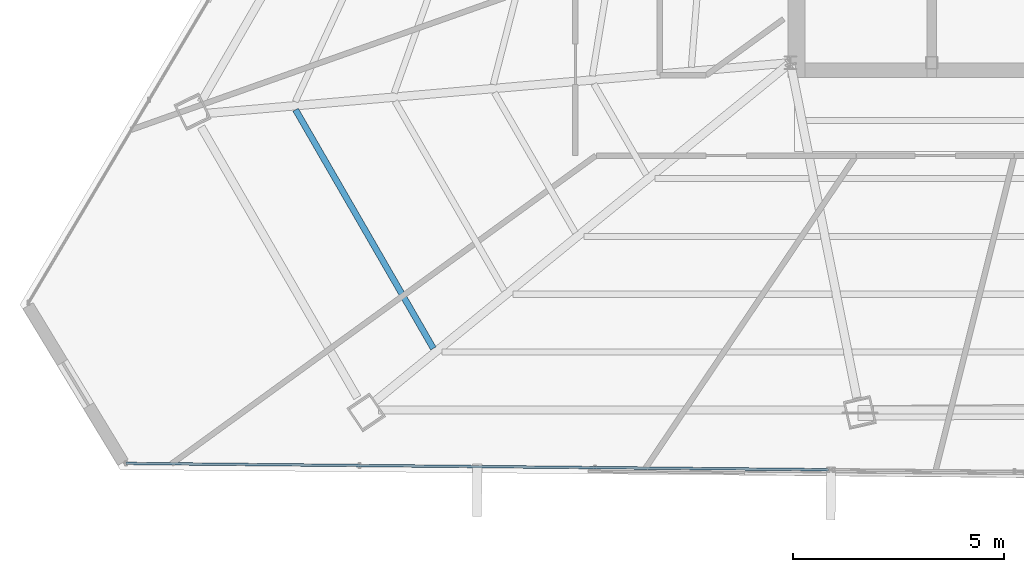
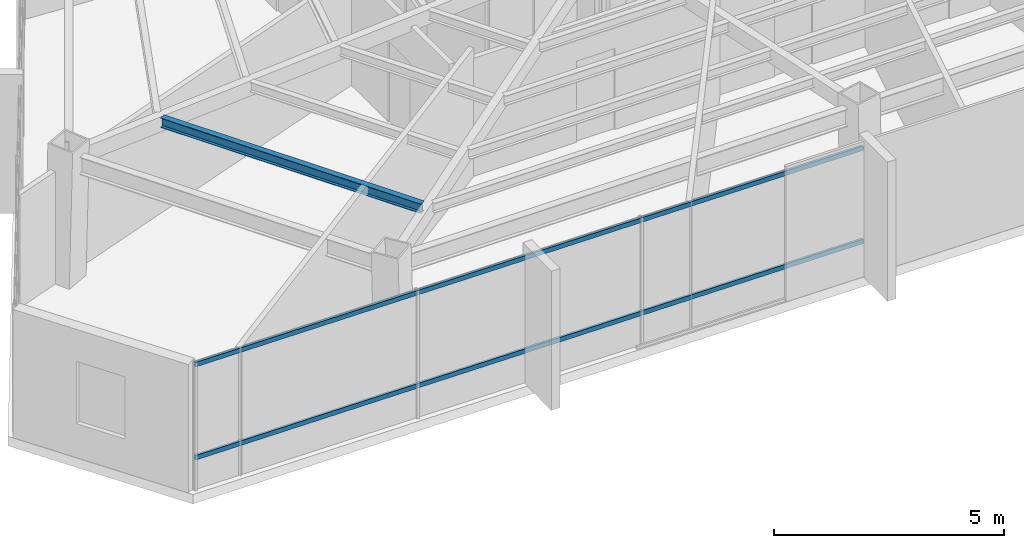
# One storey, part 4 of 42: 2 members, 1 beam, 1 element without a shape of its own.
"""IFC4 building model written with IfcOpenShell, lengths in metres."""

from ifc_helpers import new_model, si_unit, direction, frame, origin, origin_2d, place, context, subcontext, project, spatial, hollow_rectangle, i_section, extrude, source, transform, mapped, material, material_profile, profile_set, type_object, type_shapes, element, aggregate, save


model = new_model("IFC4")

# Units and contexts
model_context = context("Model", 3, precision=1e-05, world=origin(), true_north=direction((0.0, 1.0)))
body_context = subcontext(model_context, "Body", "Model", "MODEL_VIEW")
ifc_project = project(units=[si_unit("LENGTHUNIT", "METRE"), si_unit("AREAUNIT", "SQUARE_METRE"), si_unit("VOLUMEUNIT", "CUBIC_METRE"), si_unit("PLANEANGLEUNIT", "RADIAN"), si_unit("MASSUNIT", "GRAM", prefix="KILO")], contexts=[model_context])

# Site, building, storey
site_placement = place(None, origin())
site = spatial("IfcSite", under=ifc_project, at=site_placement, CompositionType="ELEMENT")
building_placement = place(site_placement, origin())
building = spatial("IfcBuilding", under=site, at=building_placement, Name="Caelisora Broadcast Tower", CompositionType="ELEMENT")
storey_placement = place(building_placement, frame((0.0, 0.0, 244.449951171875)))
storey = spatial("IfcBuildingStorey", under=building, at=storey_placement, Name="L64", CompositionType="ELEMENT", Elevation=244.449951171875)

# Beam
ifc_material_1 = material(Name="Steel Grade 350 (AS/NZS 3679.1)", Category="steel")
ifc_material_profile_1 = material_profile(ifc_material_1, i_section(OverallWidth=0.14599609375, OverallDepth=0.256103515625, WebThickness=0.00634765625, FlangeThickness=0.010986328125, at=origin_2d()), Name="Steel Grade 350 (AS/NZS 3679.1)")
ifc_profile_set_1 = profile_set([ifc_material_profile_1], Name="Steel Grade 350 (AS/NZS 3679.1)")
beam_type = type_object("IfcBeamType", Name="SB04", PredefinedType="JOIST", material=ifc_profile_set_1)
shared_shape_1 = source(origin(), body_context, "Body", "SweptSolid", [
    extrude(i_section(OverallWidth=0.14599609375, OverallDepth=0.256103515625, WebThickness=0.00634765625, FlangeThickness=0.010986328125, at=origin_2d()), origin(), (0.0, 0.0, 1.0), 6.53466796875),
])
type_shapes(beam_type, [shared_shape_1])
beam_placement = place(storey_placement, frame((18.76513671875, 16.283935546875, 3.27197265625), z_axis=(0.500000581714, -0.866025067932, 0.0), x_axis=(0.866025067932, 0.500000581714, 0.0)))
element("IfcBeam", 1, at=beam_placement, inside=storey, type_object=beam_type, Name="L64 beam SB04", PredefinedType="JOIST", context=body_context, shape_type="MappedRepresentation", body=[
    mapped(shared_shape_1, transform((0.0, 0.0, 0.0), scale=1.0)),
])

# Curtain wall, members
ifc_material_2 = material(Name="Unitised Aluminium and Low-E Glass Curtain Wall", Category="glass")
curtain_wall_type = type_object("IfcCurtainWallType", Name="CW-Z5", PredefinedType="NOTDEFINED", material=ifc_material_2)
curtain_wall_placement = place(storey_placement, origin())
curtain_wall = element("IfcCurtainWall", 2, at=curtain_wall_placement, inside=storey, type_object=curtain_wall_type, Name="L64 curtain wall CW-Z5", PredefinedType="NOTDEFINED")
ifc_material_3 = material(Name="Aluminium 6063-T6 Anodised Terracotta Bronze", Category="aluminium")
ifc_material_profile_2 = material_profile(ifc_material_3, hollow_rectangle(XDim=0.06005859375, YDim=0.1201171875, WallThickness=0.0029296875, at=origin_2d()), Name="Aluminium 6063-T6 Anodised Terracotta Bronze")
ifc_profile_set_2 = profile_set([ifc_material_profile_2], Name="Aluminium 6063-T6 Anodised Terracotta Bronze")
member_type = type_object("IfcMemberType", Name="CWT-03", PredefinedType="USERDEFINED", material=ifc_profile_set_2)
shared_shape_2 = source(origin(), body_context, "Body", "SweptSolid", [
    extrude(hollow_rectangle(XDim=0.06005859375, YDim=0.1201171875, WallThickness=0.0029296875, at=origin_2d()), origin(), (0.0, 0.0, 1.0), 16.66845703125),
])
type_shapes(member_type, [shared_shape_2])
member_1_placement = place(storey_placement, frame((31.40673828125, 7.74853515625, 0.85009765625), z_axis=(-0.999959560305, 0.008993206047, 0.0), x_axis=(-0.008993206047, -0.999959560305, 0.0)))
member_1 = element("IfcMember", 3, at=member_1_placement, type_object=member_type, Name="L64-CW-B07 transom #1", ObjectType="TRANSOM", PredefinedType="USERDEFINED", context=body_context, shape_type="MappedRepresentation", body=[
    mapped(shared_shape_2, transform((0.0, 0.0, 0.0), scale=1.0)),
])
member_2_placement = place(storey_placement, frame((31.40673828125, 7.74853515625, 3.320068359375), z_axis=(-0.999959560305, 0.008993206047, 0.0), x_axis=(-0.008993206047, -0.999959560305, 0.0)))
member_2 = element("IfcMember", 4, at=member_2_placement, type_object=member_type, Name="L64-CW-B07 transom #2", ObjectType="TRANSOM", PredefinedType="USERDEFINED", context=body_context, shape_type="MappedRepresentation", body=[
    mapped(shared_shape_2, transform((0.0, 0.0, 0.0), scale=1.0)),
])
aggregate(curtain_wall, [member_1, member_2])

save(model, "model.ifc")
